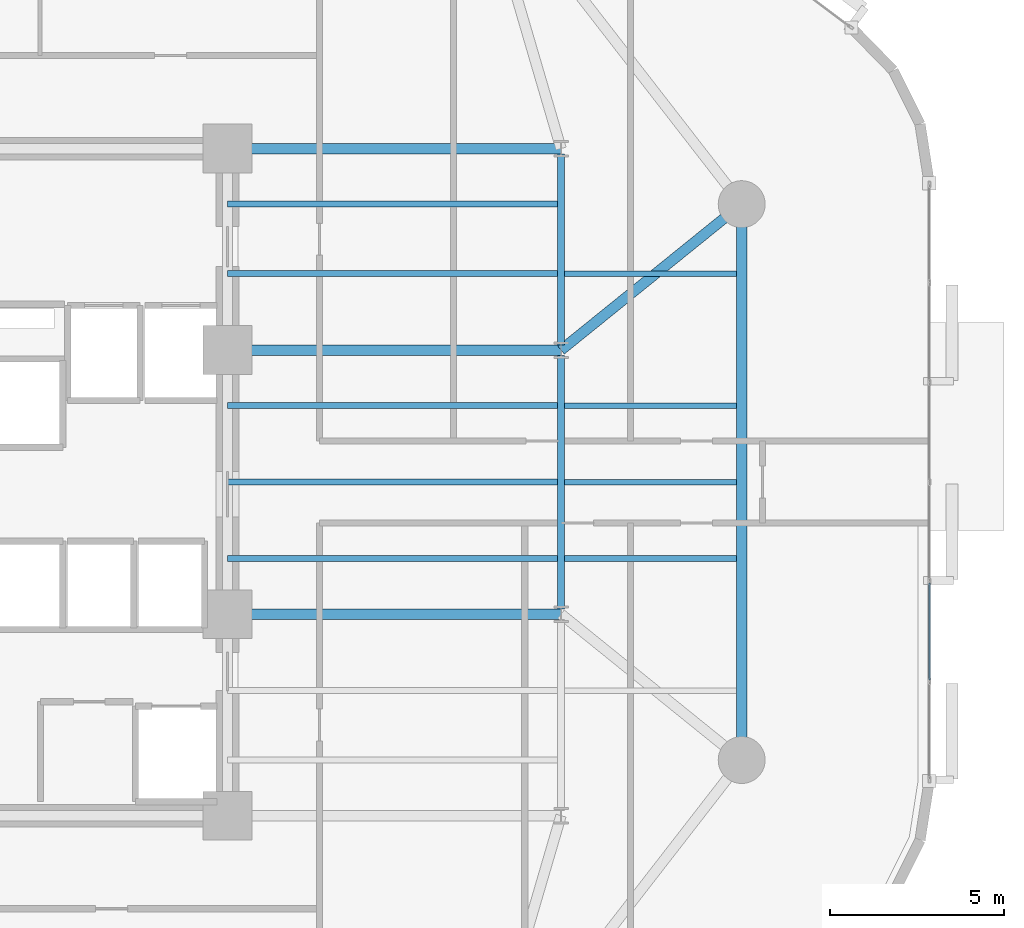
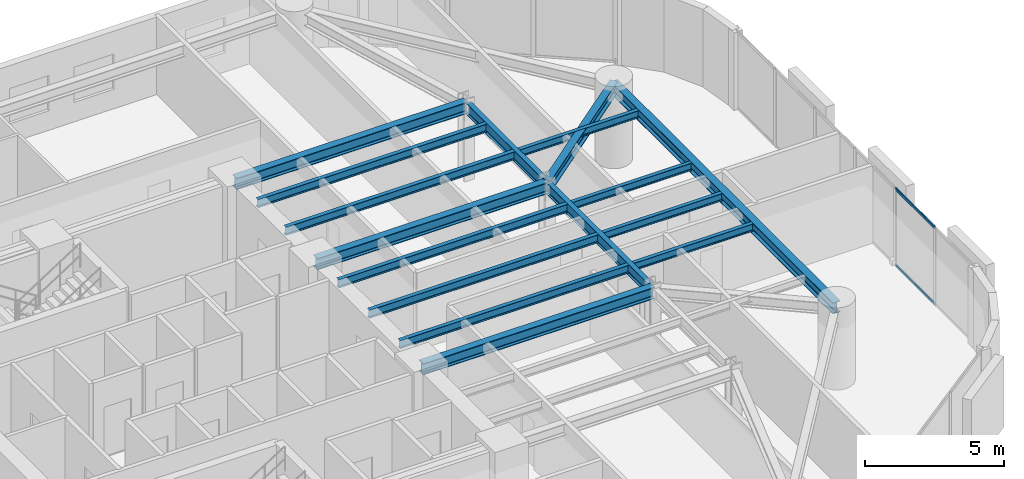
# One storey, part 5 of 16: 16 beams, 2 members, 1 element without a shape of its own.
"""IFC4 building model written with IfcOpenShell, lengths in metres."""

import ifcopenshell
import ifcopenshell.guid

model = None  # the IFC model being written
_history = None  # IfcOwnerHistory: only IFC2X3 demands one
_inside = {}  # id of a spatial element -> (the spatial element, [elements in it])
_under = {}  # id of a project, library or spatial element -> (it, [spatial elements below it])
_declared = {}  # id of a project -> (the project, [libraries it declares])
_typed = {}  # id of a type object -> (the type object, [elements of that type])
_made_of = {}  # id of a material, layer set ... -> (it, [elements and type objects made of it])


def new_model(schema):
    """Start an empty IFC model of exactly this schema.

    Asked for "IFC4X3", IfcOpenShell would pick the latest addendum, in which some entities
    have other attributes; the version numbers below select the first issue.
    IFC2X3 requires an IfcOwnerHistory on every rooted entity: one is made here for all.
    """
    global model, _history
    if schema == "IFC4X3":
        model = ifcopenshell.file(schema_version=(4, 3, 0, 0))
    else:
        model = ifcopenshell.file(schema=schema)
    _inside.clear()
    _under.clear()
    _declared.clear()
    _typed.clear()
    _made_of.clear()
    _history = None
    if model.schema == "IFC2X3":
        org = make("IfcOrganization", Name="unknown")
        user = make(
            "IfcPersonAndOrganization",
            ThePerson=make("IfcPerson", FamilyName="unknown"),
            TheOrganization=org,
        )
        app = make(
            "IfcApplication",
            ApplicationDeveloper=org,
            Version="unknown",
            ApplicationFullName="unknown",
            ApplicationIdentifier="unknown",
        )
        _history = make(
            "IfcOwnerHistory",
            OwningUser=user,
            OwningApplication=app,
            ChangeAction="ADDED",
            CreationDate=0,
        )
    return model


def make(cls, **values):
    """One entity of the class cls with the attributes given. An attribute that is None is left unset."""
    return model.create_entity(
        cls, **{name: value for name, value in values.items() if value is not None}
    )


def rooted(cls, **values):
    """An entity with a GlobalId (a new one), such as an element, a storey or a relation."""
    return make(cls, GlobalId=ifcopenshell.guid.new(), OwnerHistory=_history, **values)


def si_unit(unit_type, name, prefix=None):
    """IfcSIUnit, for example si_unit("LENGTHUNIT", "METRE", prefix="MILLI")."""
    return make("IfcSIUnit", UnitType=unit_type, Prefix=prefix, Name=name)


def assignment(units):
    """IfcUnitAssignment: the units of a project."""
    return None if units is None else make("IfcUnitAssignment", Units=units)


def point(xyz):
    """IfcCartesianPoint."""
    return None if xyz is None else make("IfcCartesianPoint", Coordinates=xyz)


def direction(xyz):
    """IfcDirection."""
    return None if xyz is None else make("IfcDirection", DirectionRatios=xyz)


def frame(location, z_axis=None, x_axis=None):
    """IfcAxis2Placement3D, a coordinate frame: its origin and axes. An axis left out is left unset."""
    return make(
        "IfcAxis2Placement3D",
        Location=point(location),
        Axis=direction(z_axis),
        RefDirection=direction(x_axis),
    )


def frame_2d(location, x_axis=None):
    """IfcAxis2Placement2D, a coordinate frame in the plane: its origin and x axis."""
    return make(
        "IfcAxis2Placement2D", Location=point(location), RefDirection=direction(x_axis)
    )


def origin():
    """The frame at (0, 0, 0) with its axes left unset."""
    return frame((0.0, 0.0, 0.0))


def origin_2d():
    """The frame at (0, 0) in the plane with its x axis left unset."""
    return frame_2d((0.0, 0.0))


def place(relative_to, where):
    """IfcLocalPlacement: puts the frame where relative to a parent placement (None: the world)."""
    return make(
        "IfcLocalPlacement", PlacementRelTo=relative_to, RelativePlacement=where
    )


def context(
    kind, dimensions, precision=None, world=None, true_north=None, identifier=None
):
    """IfcGeometricRepresentationContext, for example the 3D "Model" context."""
    return make(
        "IfcGeometricRepresentationContext",
        ContextIdentifier=identifier,
        ContextType=kind,
        CoordinateSpaceDimension=dimensions,
        Precision=precision,
        WorldCoordinateSystem=world,
        TrueNorth=true_north,
    )


def subcontext(parent, identifier, kind, view, scale=None):
    """IfcGeometricRepresentationSubContext, for example "Body" below "Model"."""
    return make(
        "IfcGeometricRepresentationSubContext",
        ContextIdentifier=identifier,
        ContextType=kind,
        ParentContext=parent,
        TargetScale=scale,
        TargetView=view,
    )


def project(units=None, contexts=None):
    """IfcProject with its units and contexts."""
    return rooted(
        "IfcProject",
        Name="project",
        RepresentationContexts=contexts,
        UnitsInContext=assignment(units),
    )


def spatial(cls, under=None, at=None, **own):
    """A site, building, storey or space (cls), placed at a placement, below another one or the project."""
    s = rooted(cls, ObjectPlacement=at, **own)
    if under is not None:
        _under.setdefault(under.id(), (under, []))[1].append(s)
    return s


def profile(cls, at=None, kind="AREA", **sizes):
    """A parametric profile (cls). Its sizes go by their IFC names, for example OverallWidth=200.0."""
    return make(cls, ProfileType=kind, Position=at, **sizes)


def hollow_rectangle(**sizes):
    """IfcRectangleHollowProfileDef."""
    return profile("IfcRectangleHollowProfileDef", **sizes)


def i_section(**sizes):
    """IfcIShapeProfileDef."""
    return profile("IfcIShapeProfileDef", **sizes)


def extrude(swept, where, along, depth):
    """IfcExtrudedAreaSolid: the profile swept, set in the frame where, extruded along a direction by depth."""
    return make(
        "IfcExtrudedAreaSolid",
        SweptArea=swept,
        Position=where,
        ExtrudedDirection=direction(along),
        Depth=depth,
    )


def shape(context_of_items, identifier, shape_type, items):
    """IfcShapeRepresentation: the items that make up one representation, for example the "Body"."""
    return make(
        "IfcShapeRepresentation",
        ContextOfItems=context_of_items,
        RepresentationIdentifier=identifier,
        RepresentationType=shape_type,
        Items=items,
    )


def material(Name=None, Category=None):
    """IfcMaterial."""
    return make("IfcMaterial", Name=Name, Category=Category)


def layer(
    of_material, thickness, ventilated=None, Name=None, Category=None, Priority=None
):
    """IfcMaterialLayer: one layer of a wall or slab, of a material (None: an air gap)."""
    return make(
        "IfcMaterialLayer",
        Material=of_material,
        LayerThickness=thickness,
        IsVentilated=ventilated,
        Name=Name,
        Category=Category,
        Priority=Priority,
    )


def layer_set(layers, Name=None):
    """IfcMaterialLayerSet."""
    return make("IfcMaterialLayerSet", MaterialLayers=layers, LayerSetName=Name)


def material_profile(
    of_material, cross_section, Name=None, Category=None, Priority=None
):
    """IfcMaterialProfile: a cross section and its material."""
    return make(
        "IfcMaterialProfile",
        Name=Name,
        Material=of_material,
        Profile=cross_section,
        Priority=Priority,
        Category=Category,
    )


def profile_set(profiles, Name=None, composite=None):
    """IfcMaterialProfileSet."""
    return make(
        "IfcMaterialProfileSet",
        Name=Name,
        MaterialProfiles=profiles,
        CompositeProfile=composite,
    )


def made_of(thing, what):
    """Note that an element or type object is made of a material, layer set ...; save() writes the relation."""
    if what is not None:
        _made_of.setdefault(what.id(), (what, []))[1].append(thing)
    return thing


def type_object(cls, material=None, **own):
    """A type object (cls), such as IfcWallType, which elements share."""
    return made_of(rooted(cls, **own), material)


def element(
    cls,
    number,
    at=None,
    inside=None,
    cuts=None,
    type_object=None,
    material=None,
    context=None,
    identifier="Body",
    shape_type=None,
    held_by="IfcProductDefinitionShape",
    body=None,
    shapes=None,
    **own,
):
    """One element of the class cls, such as IfcWall. Its Tag is "e" and its number.

    at: its placement. inside: the storey or other place that contains it. cuts: it is an
    opening in that element (IfcRelVoidsElement). A single representation is given by context,
    identifier, shape_type and body (its items); several are given by shapes. held_by: the class
    of the entity that holds the representations. save() writes the other relations.
    """
    e = rooted(cls, Tag="e%d" % number, ObjectPlacement=at, **own)
    if body is not None:
        shapes = [shape(context, identifier, shape_type, body)]
    if shapes is not None:
        e.Representation = make(held_by, Representations=shapes)
    if inside is not None:
        _inside.setdefault(inside.id(), (inside, []))[1].append(e)
    if cuts is not None:
        rooted(
            "IfcRelVoidsElement", RelatingBuildingElement=cuts, RelatedOpeningElement=e
        )
    if type_object is not None:
        _typed.setdefault(type_object.id(), (type_object, []))[1].append(e)
    return made_of(e, material)


def aggregate(whole, parts):
    """IfcRelAggregates: a whole, such as a stair, and the parts it consists of."""
    return rooted("IfcRelAggregates", RelatingObject=whole, RelatedObjects=parts)


def save(model, path):
    """Write the relations noted so far, then the file.

    IfcRelAggregates (storeys below a building ...), IfcRelContainedInSpatialStructure (elements
    in a storey), IfcRelDefinesByType, IfcRelAssociatesMaterial and IfcRelDeclares: one each for
    every whole, place, type object, material and project.
    """
    for whole, parts in _under.values():
        aggregate(whole, parts)
    for where, things in _inside.values():
        rooted(
            "IfcRelContainedInSpatialStructure",
            RelatedElements=things,
            RelatingStructure=where,
        )
    for kind, things in _typed.values():
        rooted("IfcRelDefinesByType", RelatedObjects=things, RelatingType=kind)
    for what, things in _made_of.values():
        rooted("IfcRelAssociatesMaterial", RelatedObjects=things, RelatingMaterial=what)
    for by, libraries in _declared.values():
        rooted("IfcRelDeclares", RelatingContext=by, RelatedDefinitions=libraries)
    model.write(path)


model = new_model("IFC4")

# Units and contexts
model_context = context("Model", 3, precision=1e-05, world=origin(), true_north=direction((0.0, 1.0)))
body_context = subcontext(model_context, "Body", "Model", "MODEL_VIEW")
ifc_project = project(units=[si_unit("LENGTHUNIT", "METRE"), si_unit("AREAUNIT", "SQUARE_METRE"), si_unit("VOLUMEUNIT", "CUBIC_METRE"), si_unit("PLANEANGLEUNIT", "RADIAN"), si_unit("MASSUNIT", "GRAM", prefix="KILO")], contexts=[model_context])

# Site, building, storey
site_placement = place(None, origin())
site = spatial("IfcSite", under=ifc_project, at=site_placement, CompositionType="ELEMENT")
building_placement = place(site_placement, origin())
building = spatial("IfcBuilding", under=site, at=building_placement, Name="An Khanh Terracotta Commons", CompositionType="ELEMENT")
storey_placement = place(building_placement, frame((0.0, 0.0, 118.699951171875)))
storey = spatial("IfcBuildingStorey", under=building, at=storey_placement, Name="L31", CompositionType="ELEMENT", Elevation=118.699951171875)

# Beams
ifc_material_1 = material(Name="Steel S355J2", Category="steel")
ifc_material_profile_1 = material_profile(ifc_material_1, i_section(OverallWidth=0.300048828125, OverallDepth=0.5, WebThickness=0.014404296875, FlangeThickness=0.028076171875, FilletRadius=0.027099609375, at=origin_2d()), Name="HEB500")
ifc_profile_set_1 = profile_set([ifc_material_profile_1], Name="Steel S355J2")
beam_type_1 = type_object("IfcBeamType", Name="BM-HEB500", PredefinedType="BEAM", material=ifc_profile_set_1)
beam_1_placement = place(storey_placement, frame((52.0, 16.0, 3.150146484375), z_axis=(0.0, 1.0, 0.0), x_axis=(-1.0, 0.0, 0.0)))
element("IfcBeam", 1, at=beam_1_placement, inside=storey, type_object=beam_type_1, Name="L31 Perimeter Ring Spandrel 3", PredefinedType="BEAM", context=body_context, shape_type="SweptSolid", body=[
    extrude(i_section(OverallWidth=0.300048828125, OverallDepth=0.5, WebThickness=0.014404296875, FlangeThickness=0.028076171875, FilletRadius=0.027099609375, at=origin_2d()), origin(), (0.0, 0.0, 1.0), 16.0),
])
for number, where, z_axis, x_axis, name in (
    (2, (37.199951171875, 20.199951171875, 3.150146484375), (1.0, 0.0, 0.0), (0.0, 1.0, 0.0), "L31 East Primary Floor Girder 2"),
    (3, (37.199951171875, 27.800048828125, 3.150146484375), (1.0, 0.0, 0.0), (0.0, 1.0, 0.0), "L31 East Primary Floor Girder 3"),
    (4, (37.199951171875, 33.60009765625, 3.150146484375), (1.0, 0.0, 0.0), (0.0, 1.0, 0.0), "L31 East Primary Floor Girder 4"),
):
    element("IfcBeam", number, at=place(storey_placement, frame(where, z_axis=z_axis, x_axis=x_axis)), inside=storey, type_object=beam_type_1, Name=name, PredefinedType="BEAM", context=body_context, shape_type="SweptSolid", body=[
        extrude(i_section(OverallWidth=0.300048828125, OverallDepth=0.5, WebThickness=0.014404296875, FlangeThickness=0.028076171875, FilletRadius=0.027099609375, at=origin_2d()), origin(), (0.0, 0.0, 1.0), 9.60009765625),
    ])
beam_2_placement = place(storey_placement, frame((52.0, 32.0, 3.150146484375), z_axis=(-0.777941866883, -0.628336256913, 0.0), x_axis=(0.628336256913, -0.777941866883, 0.0)))
element("IfcBeam", 5, at=beam_2_placement, inside=storey, type_object=beam_type_1, Name="L31 Mega-Column Tie Girder 4", PredefinedType="BEAM", context=body_context, shape_type="SweptSolid", body=[
    extrude(i_section(OverallWidth=0.300048828125, OverallDepth=0.5, WebThickness=0.014404296875, FlangeThickness=0.028076171875, FilletRadius=0.027099609375, at=origin_2d()), origin(), (0.0, 0.0, 1.0), 6.684326171875),
])
ifc_material_profile_2 = material_profile(ifc_material_1, i_section(OverallWidth=0.159912109375, OverallDepth=0.330078125, WebThickness=0.007568359375, FlangeThickness=0.011474609375, FilletRadius=0.01806640625, at=origin_2d()), Name="IPE330")
ifc_profile_set_2 = profile_set([ifc_material_profile_2], Name="Steel S355J2")
beam_type_2 = type_object("IfcBeamType", Name="BM-IPE330", PredefinedType="JOIST", material=ifc_profile_set_2)
for number, where, z_axis, x_axis, name in (
    (6, (46.89990234375, 21.800048828125, 3.235107421875), (1.0, 0.0, 0.0), (0.0, 1.0, 0.0), "L31 Riverfront Composite Joist 3"),
    (7, (46.89990234375, 24.0, 3.235107421875), (1.0, 0.0, 0.0), (0.0, 1.0, 0.0), "L31 Riverfront Composite Joist 4"),
    (8, (46.89990234375, 26.199951171875, 3.235107421875), (1.0, 0.0, 0.0), (0.0, 1.0, 0.0), "L31 Riverfront Composite Joist 5"),
    (9, (46.89990234375, 30.0, 3.235107421875), (1.0, 0.0, 0.0), (0.0, 1.0, 0.0), "L31 Riverfront Composite Joist 6"),
):
    element("IfcBeam", number, at=place(storey_placement, frame(where, z_axis=z_axis, x_axis=x_axis)), inside=storey, type_object=beam_type_2, Name=name, PredefinedType="JOIST", context=body_context, shape_type="SweptSolid", body=[
        extrude(i_section(OverallWidth=0.159912109375, OverallDepth=0.330078125, WebThickness=0.007568359375, FlangeThickness=0.011474609375, FilletRadius=0.01806640625, at=origin_2d()), origin(), (0.0, 0.0, 1.0), 4.9501953125),
    ])
ifc_material_profile_3 = material_profile(ifc_material_1, i_section(OverallWidth=0.169921875, OverallDepth=0.360107421875, WebThickness=0.008056640625, FlangeThickness=0.0126953125, FilletRadius=0.01806640625, at=origin_2d()), Name="IPE360")
ifc_profile_set_3 = profile_set([ifc_material_profile_3], Name="Steel S355J2")
beam_type_3 = type_object("IfcBeamType", Name="BM-IPE360", PredefinedType="JOIST", material=ifc_profile_set_3)
for number, where, z_axis, x_axis, name in (
    (10, (37.199951171875, 21.800048828125, 3.219970703125), (1.0, 0.0, 0.0), (0.0, 1.0, 0.0), "L31 Inboard Composite Joist 3"),
    (11, (37.199951171875, 24.0, 3.219970703125), (1.0, 0.0, 0.0), (0.0, 1.0, 0.0), "L31 Inboard Composite Joist 4"),
    (12, (37.199951171875, 26.199951171875, 3.219970703125), (1.0, 0.0, 0.0), (0.0, 1.0, 0.0), "L31 Inboard Composite Joist 5"),
    (13, (37.199951171875, 30.0, 3.219970703125), (1.0, 0.0, 0.0), (0.0, 1.0, 0.0), "L31 Inboard Composite Joist 6"),
    (14, (37.199951171875, 32.0, 3.219970703125), (1.0, 0.0, 0.0), (0.0, 1.0, 0.0), "L31 Inboard Composite Joist 7"),
):
    element("IfcBeam", number, at=place(storey_placement, frame(where, z_axis=z_axis, x_axis=x_axis)), inside=storey, type_object=beam_type_3, Name=name, PredefinedType="JOIST", context=body_context, shape_type="SweptSolid", body=[
        extrude(i_section(OverallWidth=0.169921875, OverallDepth=0.360107421875, WebThickness=0.008056640625, FlangeThickness=0.0126953125, FilletRadius=0.01806640625, at=origin_2d()), origin(), (0.0, 0.0, 1.0), 9.5),
    ])
ifc_material_profile_4 = material_profile(ifc_material_1, i_section(OverallWidth=0.199951171875, OverallDepth=0.5, WebThickness=0.01025390625, FlangeThickness=0.01611328125, FilletRadius=0.02099609375, at=origin_2d()), Name="IPE500")
ifc_profile_set_4 = profile_set([ifc_material_profile_4], Name="Steel S355J2")
beam_type_4 = type_object("IfcBeamType", Name="BM-IPE500", PredefinedType="BEAM", material=ifc_profile_set_4)
beam_3_placement = place(storey_placement, frame((46.800048828125, 20.35009765625, 3.150146484375), z_axis=(0.0, 1.0, 0.0), x_axis=(-1.0, 0.0, 0.0)))
element("IfcBeam", 15, at=beam_3_placement, inside=storey, type_object=beam_type_4, Name="L31 East Spine Girder 2", PredefinedType="BEAM", context=body_context, shape_type="SweptSolid", body=[
    extrude(i_section(OverallWidth=0.199951171875, OverallDepth=0.5, WebThickness=0.01025390625, FlangeThickness=0.01611328125, FilletRadius=0.02099609375, at=origin_2d()), origin(), (0.0, 0.0, 1.0), 7.2998046875),
])
beam_4_placement = place(storey_placement, frame((46.800048828125, 27.949951171875, 3.150146484375), z_axis=(0.0, 1.0, 0.0), x_axis=(-1.0, 0.0, 0.0)))
element("IfcBeam", 16, at=beam_4_placement, inside=storey, type_object=beam_type_4, Name="L31 East Spine Girder 3", PredefinedType="BEAM", context=body_context, shape_type="SweptSolid", body=[
    extrude(i_section(OverallWidth=0.199951171875, OverallDepth=0.5, WebThickness=0.01025390625, FlangeThickness=0.01611328125, FilletRadius=0.02099609375, at=origin_2d()), origin(), (0.0, 0.0, 1.0), 5.5),
])

# Curtain wall, members
ifc_material_2 = material(Name="Anodised Aluminium 6063-T6", Category="aluminium")
ifc_layer = layer(ifc_material_2, 0.199951171875, Name="Anodised Aluminium 6063-T6")
ifc_layer_set = layer_set([ifc_layer], Name="Anodised Aluminium 6063-T6")
curtain_wall_type = type_object("IfcCurtainWallType", Name="CW-SYS-02", PredefinedType="USERDEFINED", material=ifc_layer_set)
curtain_wall_placement = place(storey_placement, origin())
curtain_wall = element("IfcCurtainWall", 17, at=curtain_wall_placement, inside=storey, type_object=curtain_wall_type, Name="L31 CW-02 Unitised Curtain Wall CW-L31-12", ObjectType="UNITISED CURTAIN WALL", PredefinedType="USERDEFINED")
ifc_material_profile_5 = material_profile(ifc_material_2, hollow_rectangle(XDim=0.06005859375, YDim=0.1201171875, WallThickness=0.003662109375, InnerFilletRadius=0.003662109375, OuterFilletRadius=0.007080078125, at=origin_2d()), Name="RHS120x60x3.6")
ifc_profile_set_5 = profile_set([ifc_material_profile_5], Name="Anodised Aluminium 6063-T6")
member_type = type_object("IfcMemberType", Name="CWT-RHS120x60x3.6", PredefinedType="USERDEFINED", material=ifc_profile_set_5)
member_1_placement = place(storey_placement, frame((57.39990234375, 18.3017578125, 0.030029296875), z_axis=(0.0, 1.0, 0.0), x_axis=(-1.0, 0.0, 0.0)))
member_1 = element("IfcMember", 18, at=member_1_placement, type_object=member_type, Name="CW-02 transom 2.1", ObjectType="TRANSOM", PredefinedType="USERDEFINED", context=body_context, shape_type="SweptSolid", body=[
    extrude(hollow_rectangle(XDim=0.06005859375, YDim=0.1201171875, WallThickness=0.003662109375, InnerFilletRadius=0.003662109375, OuterFilletRadius=0.007080078125, at=origin_2d()), origin(), (0.0, 0.0, 1.0), 2.796630859375),
])
member_2_placement = place(storey_placement, frame((57.39990234375, 18.3017578125, 3.3701171875), z_axis=(0.0, 1.0, 0.0), x_axis=(-1.0, 0.0, 0.0)))
member_2 = element("IfcMember", 19, at=member_2_placement, type_object=member_type, Name="CW-02 transom 2.2", ObjectType="TRANSOM", PredefinedType="USERDEFINED", context=body_context, shape_type="SweptSolid", body=[
    extrude(hollow_rectangle(XDim=0.06005859375, YDim=0.1201171875, WallThickness=0.003662109375, InnerFilletRadius=0.003662109375, OuterFilletRadius=0.007080078125, at=origin_2d()), origin(), (0.0, 0.0, 1.0), 2.796630859375),
])
aggregate(curtain_wall, [member_1, member_2])

save(model, "model.ifc")
